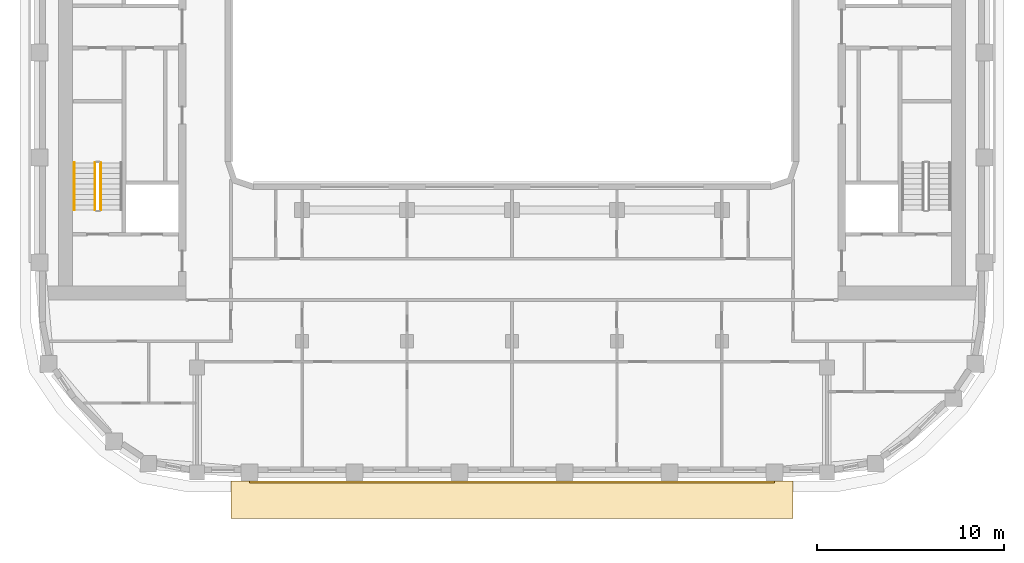
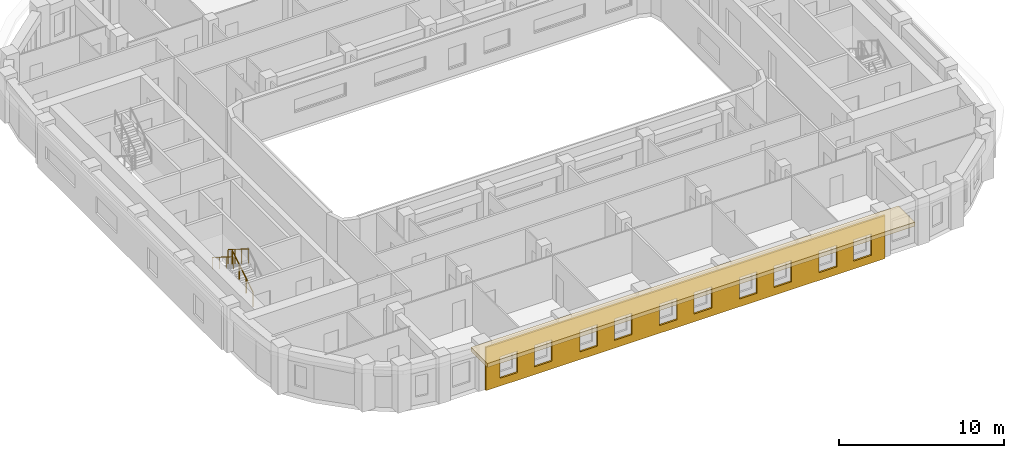
# One storey, part 11 of 20: 3 railings, 2 coverings.
"""IFC4 building model written with IfcOpenShell, lengths in metres."""

from ifc_helpers import new_model, si_unit, direction, frame, origin, origin_2d, place, context, subcontext, project, spatial, polyline, circle, outline, extrude, material, layer, layer_set, type_object, element, save


model = new_model("IFC4")

# Units and contexts
model_context = context("Model", 3, precision=1e-05, world=origin(), true_north=direction((0.0, 1.0)))
body_context = subcontext(model_context, "Body", "Model", "MODEL_VIEW")
ifc_project = project(units=[si_unit("LENGTHUNIT", "METRE"), si_unit("AREAUNIT", "SQUARE_METRE"), si_unit("VOLUMEUNIT", "CUBIC_METRE"), si_unit("PLANEANGLEUNIT", "RADIAN"), si_unit("MASSUNIT", "GRAM", prefix="KILO")], contexts=[model_context])

# Site, building, storey
site_placement = place(None, origin())
site = spatial("IfcSite", under=ifc_project, at=site_placement, CompositionType="ELEMENT")
building_placement = place(site_placement, origin())
building = spatial("IfcBuilding", under=site, at=building_placement, Name="Kiln Ring Residences", CompositionType="ELEMENT")
storey_placement = place(building_placement, frame((0.0, 0.0, 206.39990234375)))
storey = spatial("IfcBuildingStorey", under=building, at=storey_placement, Name="L53", CompositionType="ELEMENT", Elevation=206.39990234375)

# Railings
ifc_material_1 = material(Name="Stainless steel", Category="steel")
railing_type_1 = type_object("IfcRailingType", Name="CORE-STAIR-GUARD", PredefinedType="GUARDRAIL", material=ifc_material_1)
railing_1_placement = place(storey_placement, frame((-21.949951171875, -8.39990234375, 0.175048828125)))
element("IfcRailing", 1, at=railing_1_placement, inside=storey, type_object=railing_type_1, Name="L53 W-STS stair guard 1", PredefinedType="GUARDRAIL", context=body_context, shape_type="SweptSolid", body=[
    extrude(circle(Radius=0.02392578125, at=origin_2d()), frame((0.0, 0.0, 1.076171875), z_axis=(0.0, 0.848007534815, 0.529984170421), x_axis=(-1.0, 0.0, 0.0)), (0.0, 0.0, 1.0), 2.9716796875),
    extrude(circle(Radius=0.02099609375, at=origin_2d()), origin(), (0.0, 0.0, 1.0), 1.052001953125),
    extrude(circle(Radius=0.02099609375, at=origin_2d()), frame((0.0, 0.840087890625, 0.52490234375)), (0.0, 0.0, 1.0), 1.052001953125),
    extrude(circle(Radius=0.02099609375, at=origin_2d()), frame((0.0, 1.679931640625, 1.050048828125)), (0.0, 0.0, 1.0), 1.052001953125),
    extrude(circle(Radius=0.02099609375, at=origin_2d()), frame((0.0, 2.52001953125, 1.574951171875)), (0.0, 0.0, 1.0), 1.052001953125),
])
railing_2_placement = place(storey_placement, frame((-22.25, -5.8798828125, 1.925048828125)))
element("IfcRailing", 2, at=railing_2_placement, inside=storey, type_object=railing_type_1, Name="L53 W-STS stair guard 3", PredefinedType="GUARDRAIL", context=body_context, shape_type="SweptSolid", body=[
    extrude(circle(Radius=0.02392578125, at=origin_2d()), frame((0.0, 0.0, 1.076171875), z_axis=(0.0, -0.848007534815, 0.529984170421), x_axis=(1.0, 0.0, 0.0)), (0.0, 0.0, 1.0), 2.9716796875),
    extrude(circle(Radius=0.02099609375, at=origin_2d()), origin(), (0.0, 0.0, 1.0), 1.052001953125),
    extrude(circle(Radius=0.02099609375, at=origin_2d()), frame((0.0, -0.840087890625, 0.52490234375)), (0.0, 0.0, 1.0), 1.052001953125),
    extrude(circle(Radius=0.02099609375, at=origin_2d()), frame((0.0, -1.679931640625, 1.050048828125)), (0.0, 0.0, 1.0), 1.052001953125),
    extrude(circle(Radius=0.02099609375, at=origin_2d()), frame((0.0, -2.52001953125, 1.574951171875)), (0.0, 0.0, 1.0), 1.052001953125),
])
ifc_material_2 = material(Name="Stainless steel", Category="steel")
railing_type_2 = type_object("IfcRailingType", Name="CORE-STAIR-HANDRAIL", PredefinedType="HANDRAIL", material=ifc_material_2)
railing_3_placement = place(storey_placement, frame((-23.35009765625, -5.8798828125, 1.925048828125)))
element("IfcRailing", 3, at=railing_3_placement, inside=storey, type_object=railing_type_2, Name="L53 W-STS stair handrail 2", PredefinedType="HANDRAIL", context=body_context, shape_type="SweptSolid", body=[
    extrude(circle(Radius=0.02392578125, at=origin_2d()), frame((0.0, 0.0, 0.8759765625), z_axis=(0.0, -0.848007534815, 0.529984170421), x_axis=(1.0, 0.0, 0.0)), (0.0, 0.0, 1.0), 2.9716796875),
    extrude(circle(Radius=0.02099609375, at=origin_2d()), origin(), (0.0, 0.0, 1.0), 0.851806640625),
    extrude(circle(Radius=0.02099609375, at=origin_2d()), frame((0.0, -0.840087890625, 0.52490234375)), (0.0, 0.0, 1.0), 0.851806640625),
    extrude(circle(Radius=0.02099609375, at=origin_2d()), frame((0.0, -1.679931640625, 1.050048828125)), (0.0, 0.0, 1.0), 0.851806640625),
    extrude(circle(Radius=0.02099609375, at=origin_2d()), frame((0.0, -2.52001953125, 1.574951171875)), (0.0, 0.0, 1.0), 0.851806640625),
])

# Coverings
ifc_material_3 = material(Name="Brick masonry, dark clay brick", Category="masonry")
ifc_layer_1 = layer(ifc_material_3, 0.1201171875)
ifc_layer_set_1 = layer_set([ifc_layer_1], Name="RAINSCREEN PANEL 120")
covering_type_1 = type_object("IfcCoveringType", Name="RAINSCREEN PANEL 120", PredefinedType="CLADDING", material=ifc_layer_set_1)
covering_1_placement = place(storey_placement, frame((-14.0, -22.909912109375, 0.0), z_axis=(0.0, 0.0, 1.0), x_axis=(1.0, 0.0, 0.0)))
element("IfcCovering", 4, at=covering_1_placement, inside=storey, type_object=covering_type_1, Name="RAINSCREEN L53", PredefinedType="CLADDING", context=body_context, shape_type="SweptSolid", body=[
    extrude(outline(polyline([(0.0, 0.0), (28.0, 0.0), (28.0, 3.2001953125), (0.0, 3.2001953125), (0.0, 0.0)]), holes=[polyline([(0.967529296875, 0.580078125), (2.20751953125, 0.580078125), (2.20751953125, 2.170166015625), (0.967529296875, 2.170166015625), (0.967529296875, 0.580078125)]), polyline([(3.392578125, 0.580078125), (4.632568359375, 0.580078125), (4.632568359375, 2.170166015625), (3.392578125, 2.170166015625), (3.392578125, 0.580078125)]), polyline([(6.5673828125, 0.580078125), (7.8076171875, 0.580078125), (7.8076171875, 2.170166015625), (6.5673828125, 2.170166015625), (6.5673828125, 0.580078125)]), polyline([(8.992431640625, 2.170166015625), (8.992431640625, 0.580078125), (10.232421875, 0.580078125), (10.232421875, 2.170166015625), (8.992431640625, 2.170166015625)]), polyline([(12.16748046875, 2.170166015625), (12.16748046875, 0.580078125), (13.407470703125, 0.580078125), (13.407470703125, 2.170166015625), (12.16748046875, 2.170166015625)]), polyline([(14.592529296875, 0.580078125), (15.83251953125, 0.580078125), (15.83251953125, 2.170166015625), (14.592529296875, 2.170166015625), (14.592529296875, 0.580078125)]), polyline([(17.767578125, 0.580078125), (19.007568359375, 0.580078125), (19.007568359375, 2.170166015625), (17.767578125, 2.170166015625), (17.767578125, 0.580078125)]), polyline([(20.1923828125, 0.580078125), (21.4326171875, 0.580078125), (21.4326171875, 2.170166015625), (20.1923828125, 2.170166015625), (20.1923828125, 0.580078125)]), polyline([(23.367431640625, 2.170166015625), (23.367431640625, 0.580078125), (24.607421875, 0.580078125), (24.607421875, 2.170166015625), (23.367431640625, 2.170166015625)]), polyline([(25.79248046875, 2.170166015625), (25.79248046875, 0.580078125), (27.032470703125, 0.580078125), (27.032470703125, 2.170166015625), (25.79248046875, 2.170166015625)])]), frame((0.0, 0.06005859375, 0.0), z_axis=(0.0, -1.0, 0.0), x_axis=(1.0, 0.0, 0.0)), (0.0, 0.0, 1.0), 0.1201171875),
])
ifc_material_4 = material(Name="Black powder-coated steel", Category="steel")
ifc_layer_2 = layer(ifc_material_4, 0.300048828125)
ifc_layer_set_2 = layer_set([ifc_layer_2], Name="SUNSHADE BAND 2000")
covering_type_2 = type_object("IfcCoveringType", Name="SUNSHADE BAND 2000", PredefinedType="CLADDING", material=ifc_layer_set_2)
covering_2_placement = place(storey_placement, frame((0.0, 0.0, 3.2001953125)))
element("IfcCovering", 5, at=covering_2_placement, inside=storey, type_object=covering_type_2, Name="SUNSHADE BAND L53", PredefinedType="CLADDING", context=body_context, shape_type="SweptSolid", body=[
    extrude(outline(polyline([(-15.0, -24.85009765625), (15.0, -24.85009765625), (15.0, -22.85009765625), (-15.0, -22.85009765625), (-15.0, -24.85009765625)])), origin(), (0.0, 0.0, 1.0), 0.2998046875),
])

save(model, "model.ifc")
